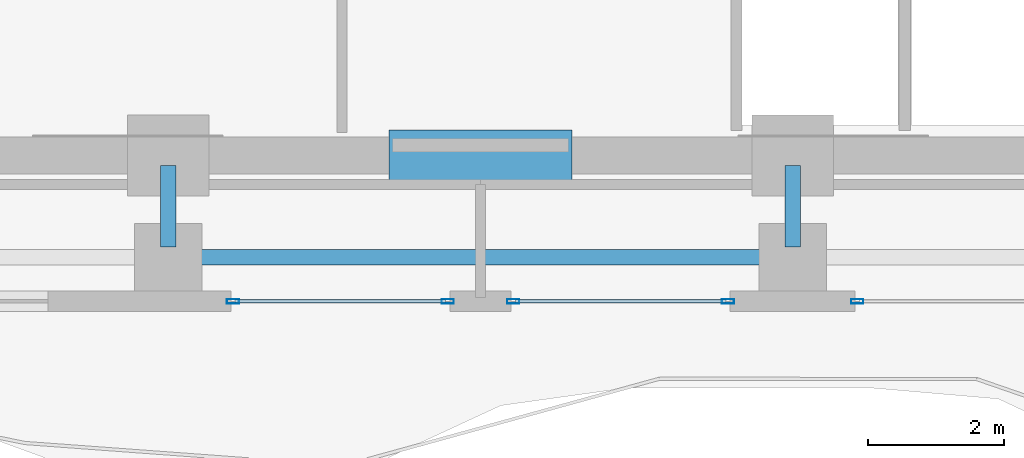
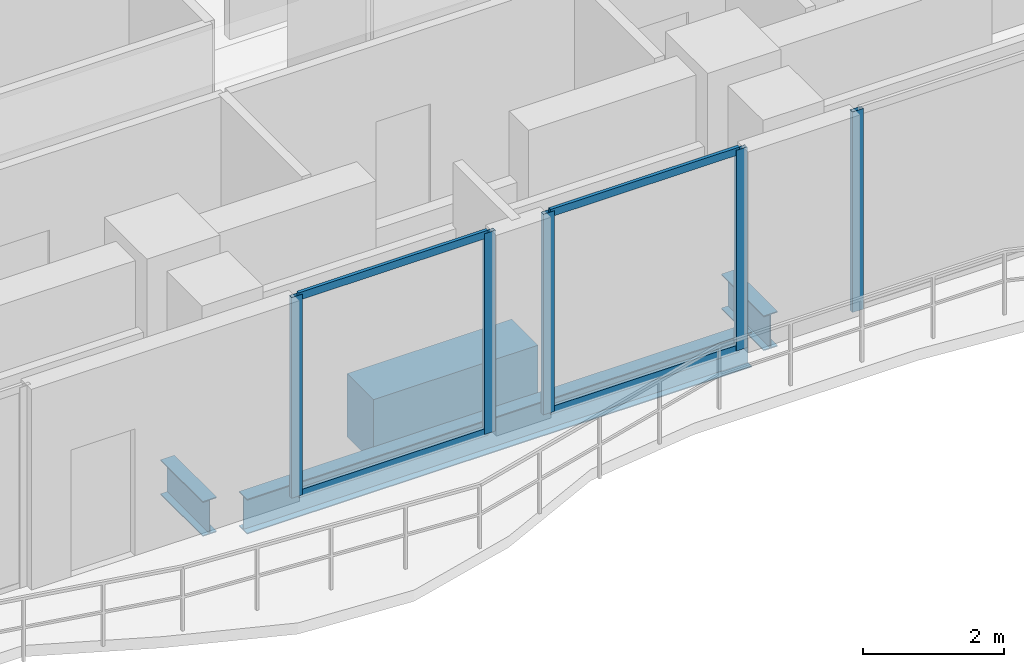
# One storey, part 4 of 26: 9 members, 4 beams, 3 elements without a shape of their own.
"""IFC4 building model written with IfcOpenShell, lengths in metres."""

from ifc_helpers import new_model, si_unit, direction, frame, origin, origin_2d, place, context, subcontext, project, spatial, rectangle, hollow_rectangle, i_section, extrude, material, layer, layer_set, material_profile, profile_set, type_object, element, aggregate, save


model = new_model("IFC4")

# Units and contexts
model_context = context("Model", 3, precision=1e-05, world=origin(), true_north=direction((0.0, 1.0)))
body_context = subcontext(model_context, "Body", "Model", "MODEL_VIEW")
ifc_project = project(units=[si_unit("LENGTHUNIT", "METRE"), si_unit("AREAUNIT", "SQUARE_METRE"), si_unit("VOLUMEUNIT", "CUBIC_METRE"), si_unit("PLANEANGLEUNIT", "RADIAN"), si_unit("MASSUNIT", "GRAM", prefix="KILO")], contexts=[model_context])

# Site, building, storey
site_placement = place(None, origin())
site = spatial("IfcSite", under=ifc_project, at=site_placement, CompositionType="ELEMENT")
building_placement = place(site_placement, origin())
building = spatial("IfcBuilding", under=site, at=building_placement, Name="Zuhayl Quay Hotel", CompositionType="ELEMENT")
storey_placement = place(building_placement, frame((0.0, 0.0, 247.050048828125)))
storey = spatial("IfcBuildingStorey", under=building, at=storey_placement, Name="L62", CompositionType="ELEMENT", Elevation=247.050048828125)

# Beams
ifc_material_1 = material(Name="Steel ASTM A992 Grade 50", Category="steel")
ifc_material_profile_1 = material_profile(ifc_material_1, i_section(OverallWidth=0.22802734375, OverallDepth=0.60693359375, WebThickness=0.01123046875, FlangeThickness=0.017333984375, at=origin_2d()), Name="W24X76")
ifc_profile_set_1 = profile_set([ifc_material_profile_1], Name="Steel ASTM A992 Grade 50")
beam_type_1 = type_object("IfcBeamType", Name="BM_B3_W24X76", PredefinedType="BEAM", material=ifc_profile_set_1)
beam_1_placement = place(storey_placement, frame((-4.139892578125, 0.64990234375, -0.5234375), z_axis=(1.0, 0.0, 0.0), x_axis=(0.0, 1.0, 0.0)))
element("IfcBeam", 1, at=beam_1_placement, inside=storey, type_object=beam_type_1, Name="L62 Floor Beam RG_L62_02", PredefinedType="BEAM", context=body_context, shape_type="SweptSolid", body=[
    extrude(i_section(OverallWidth=0.22802734375, OverallDepth=0.60693359375, WebThickness=0.01123046875, FlangeThickness=0.017333984375, at=origin_2d()), origin(), (0.0, 0.0, 1.0), 8.27978515625),
])
for number, where, z_axis, x_axis, name in (
    (2, (-4.60009765625, 0.800048828125, -0.5234375), (0.0, 1.0, 0.0), (-1.0, 0.0, 0.0), "L62 Floor Beam FG_S_L62_2"),
    (3, (4.60009765625, 0.800048828125, -0.5234375), (0.0, 1.0, 0.0), (-1.0, 0.0, 0.0), "L62 Floor Beam FG_S_L62_3"),
):
    element("IfcBeam", number, at=place(storey_placement, frame(where, z_axis=z_axis, x_axis=x_axis)), inside=storey, type_object=beam_type_1, Name=name, PredefinedType="BEAM", context=body_context, shape_type="SweptSolid", body=[
        extrude(i_section(OverallWidth=0.22802734375, OverallDepth=0.60693359375, WebThickness=0.01123046875, FlangeThickness=0.017333984375, at=origin_2d()), origin(), (0.0, 0.0, 1.0), 1.199951171875),
    ])
ifc_material_2 = material(Name="Concrete C60/75", Category="concrete")
ifc_material_profile_2 = material_profile(ifc_material_2, rectangle(XDim=0.75, YDim=1.10009765625, at=origin_2d()), Name="RC750X1100")
ifc_profile_set_2 = profile_set([ifc_material_profile_2], Name="Concrete C60/75")
beam_type_2 = type_object("IfcBeamType", Name="BM_CB2_RC750", PredefinedType="T_BEAM", material=ifc_profile_set_2)
beam_2_placement = place(storey_placement, frame((-1.35009765625, 2.14990234375, -0.77001953125), z_axis=(1.0, 0.0, 0.0), x_axis=(0.0, 1.0, 0.0)))
element("IfcBeam", 4, at=beam_2_placement, inside=storey, type_object=beam_type_2, Name="L62 Core Coupling Beam South", PredefinedType="T_BEAM", context=body_context, shape_type="SweptSolid", body=[
    extrude(rectangle(XDim=0.75, YDim=1.10009765625, at=origin_2d()), origin(), (0.0, 0.0, 1.0), 2.7001953125),
])

# Curtain wall, member
ifc_material_3 = material(Name="Anodised Aluminium 6063-T6", Category="aluminium")
ifc_layer = layer(ifc_material_3, 0.169921875, Name="Anodised Aluminium 6063-T6", Category="aluminium")
ifc_layer_set = layer_set([ifc_layer], Name="Anodised Aluminium 6063-T6")
curtain_wall_type = type_object("IfcCurtainWallType", Name="CW_SYS_Z4", PredefinedType="USERDEFINED", material=ifc_layer_set)
curtain_wall_1_placement = place(storey_placement, origin())
curtain_wall_1 = element("IfcCurtainWall", 5, at=curtain_wall_1_placement, inside=storey, type_object=curtain_wall_type, Name="L62 Curtain Wall ENV_L62_S_CW1", ObjectType="UNITISED CURTAIN WALL", PredefinedType="USERDEFINED")
ifc_material_4 = material(Name="Black-anodised aluminium 6063-T6", Category="aluminium")
ifc_material_profile_3 = material_profile(ifc_material_4, hollow_rectangle(XDim=0.06494140625, YDim=0.179931640625, WallThickness=0.00341796875, at=origin_2d()), Name="ALU180X65")
ifc_profile_set_3 = profile_set([ifc_material_profile_3], Name="Black-anodised aluminium 6063-T6")
member_type_1 = type_object("IfcMemberType", Name="MB_CW_MUL_180", PredefinedType="MULLION", material=ifc_profile_set_3)
member_1_placement = place(storey_placement, frame((5.552490234375, 0.0, 0.0), z_axis=(0.0, 0.0, 1.0), x_axis=(0.0, -1.0, 0.0)))
member_1 = element("IfcMember", 6, at=member_1_placement, type_object=member_type_1, Name="CW-Z4 mullion 2", PredefinedType="MULLION", context=body_context, shape_type="SweptSolid", body=[
    extrude(hollow_rectangle(XDim=0.06494140625, YDim=0.179931640625, WallThickness=0.00341796875, at=origin_2d()), origin(), (0.0, 0.0, 1.0), 3.47998046875),
])
aggregate(curtain_wall_1, [member_1])

# Curtain wall, members
curtain_wall_2_placement = place(storey_placement, origin())
curtain_wall_2 = element("IfcCurtainWall", 7, at=curtain_wall_2_placement, inside=storey, type_object=curtain_wall_type, Name="L62 Curtain Wall ENV_L62_S_CW2", ObjectType="UNITISED CURTAIN WALL", PredefinedType="USERDEFINED")
member_2_placement = place(storey_placement, frame((3.6474609375, 0.0, 0.0), z_axis=(0.0, 0.0, 1.0), x_axis=(0.0, -1.0, 0.0)))
member_2 = element("IfcMember", 8, at=member_2_placement, type_object=member_type_1, Name="CW-Z4 mullion 1", PredefinedType="MULLION", context=body_context, shape_type="SweptSolid", body=[
    extrude(hollow_rectangle(XDim=0.06494140625, YDim=0.179931640625, WallThickness=0.00341796875, at=origin_2d()), origin(), (0.0, 0.0, 1.0), 3.47998046875),
])
member_3_placement = place(storey_placement, frame((0.482421875, 0.0, 0.0), z_axis=(0.0, 0.0, 1.0), x_axis=(0.0, -1.0, 0.0)))
member_3 = element("IfcMember", 9, at=member_3_placement, type_object=member_type_1, Name="CW-Z4 mullion 2", PredefinedType="MULLION", context=body_context, shape_type="SweptSolid", body=[
    extrude(hollow_rectangle(XDim=0.06494140625, YDim=0.179931640625, WallThickness=0.00341796875, at=origin_2d()), origin(), (0.0, 0.0, 1.0), 3.47998046875),
])

curtain_wall_3_placement = place(storey_placement, origin())
curtain_wall_3 = element("IfcCurtainWall", 10, at=curtain_wall_3_placement, inside=storey, type_object=curtain_wall_type, Name="L62 Curtain Wall ENV_L62_S_CW3", ObjectType="UNITISED CURTAIN WALL", PredefinedType="USERDEFINED")
member_4_placement = place(storey_placement, frame((-0.482421875, 0.0, 0.0), z_axis=(0.0, 0.0, 1.0), x_axis=(0.0, -1.0, 0.0)))
member_4 = element("IfcMember", 11, at=member_4_placement, type_object=member_type_1, Name="CW-Z4 mullion 1", PredefinedType="MULLION", context=body_context, shape_type="SweptSolid", body=[
    extrude(hollow_rectangle(XDim=0.06494140625, YDim=0.179931640625, WallThickness=0.00341796875, at=origin_2d()), origin(), (0.0, 0.0, 1.0), 3.47998046875),
])
member_5_placement = place(storey_placement, frame((-3.6474609375, 0.0, 0.0), z_axis=(0.0, 0.0, 1.0), x_axis=(0.0, -1.0, 0.0)))
member_5 = element("IfcMember", 12, at=member_5_placement, type_object=member_type_1, Name="CW-Z4 mullion 2", PredefinedType="MULLION", context=body_context, shape_type="SweptSolid", body=[
    extrude(hollow_rectangle(XDim=0.06494140625, YDim=0.179931640625, WallThickness=0.00341796875, at=origin_2d()), origin(), (0.0, 0.0, 1.0), 3.47998046875),
])

# Member
ifc_material_profile_4 = material_profile(ifc_material_4, hollow_rectangle(XDim=0.054931640625, YDim=0.1298828125, WallThickness=0.0029296875, at=origin_2d()), Name="ALU130X55")
ifc_profile_set_4 = profile_set([ifc_material_profile_4], Name="Black-anodised aluminium 6063-T6")
member_type_2 = type_object("IfcMemberType", Name="MB_CW_TRN_130", PredefinedType="USERDEFINED", material=ifc_profile_set_4)
member_6_placement = place(storey_placement, frame((3.614990234375, 0.0, 0.02734375), z_axis=(-1.0, 0.0, 0.0), x_axis=(0.0, -1.0, 0.0)))
member_6 = element("IfcMember", 13, at=member_6_placement, type_object=member_type_2, Name="CW-Z4 transom 1.1", ObjectType="TRANSOM", PredefinedType="USERDEFINED", context=body_context, shape_type="SweptSolid", body=[
    extrude(hollow_rectangle(XDim=0.054931640625, YDim=0.1298828125, WallThickness=0.0029296875, at=origin_2d()), origin(), (0.0, 0.0, 1.0), 3.10009765625),
])

member_7_placement = place(storey_placement, frame((3.614990234375, 0.0, 3.452392578125), z_axis=(-1.0, 0.0, 0.0), x_axis=(0.0, -1.0, 0.0)))
member_7 = element("IfcMember", 14, at=member_7_placement, type_object=member_type_2, Name="CW-Z4 transom 1.2", ObjectType="TRANSOM", PredefinedType="USERDEFINED", context=body_context, shape_type="SweptSolid", body=[
    extrude(hollow_rectangle(XDim=0.054931640625, YDim=0.1298828125, WallThickness=0.0029296875, at=origin_2d()), origin(), (0.0, 0.0, 1.0), 3.10009765625),
])

aggregate(curtain_wall_2, [member_2, member_3, member_6, member_7])

member_8_placement = place(storey_placement, frame((-0.514892578125, 0.0, 0.02734375), z_axis=(-1.0, 0.0, 0.0), x_axis=(0.0, -1.0, 0.0)))
member_8 = element("IfcMember", 15, at=member_8_placement, type_object=member_type_2, Name="CW-Z4 transom 1.1", ObjectType="TRANSOM", PredefinedType="USERDEFINED", context=body_context, shape_type="SweptSolid", body=[
    extrude(hollow_rectangle(XDim=0.054931640625, YDim=0.1298828125, WallThickness=0.0029296875, at=origin_2d()), origin(), (0.0, 0.0, 1.0), 3.10009765625),
])

member_9_placement = place(storey_placement, frame((-0.514892578125, 0.0, 3.452392578125), z_axis=(-1.0, 0.0, 0.0), x_axis=(0.0, -1.0, 0.0)))
member_9 = element("IfcMember", 16, at=member_9_placement, type_object=member_type_2, Name="CW-Z4 transom 1.2", ObjectType="TRANSOM", PredefinedType="USERDEFINED", context=body_context, shape_type="SweptSolid", body=[
    extrude(hollow_rectangle(XDim=0.054931640625, YDim=0.1298828125, WallThickness=0.0029296875, at=origin_2d()), origin(), (0.0, 0.0, 1.0), 3.10009765625),
])

aggregate(curtain_wall_3, [member_4, member_5, member_8, member_9])

save(model, "model.ifc")
